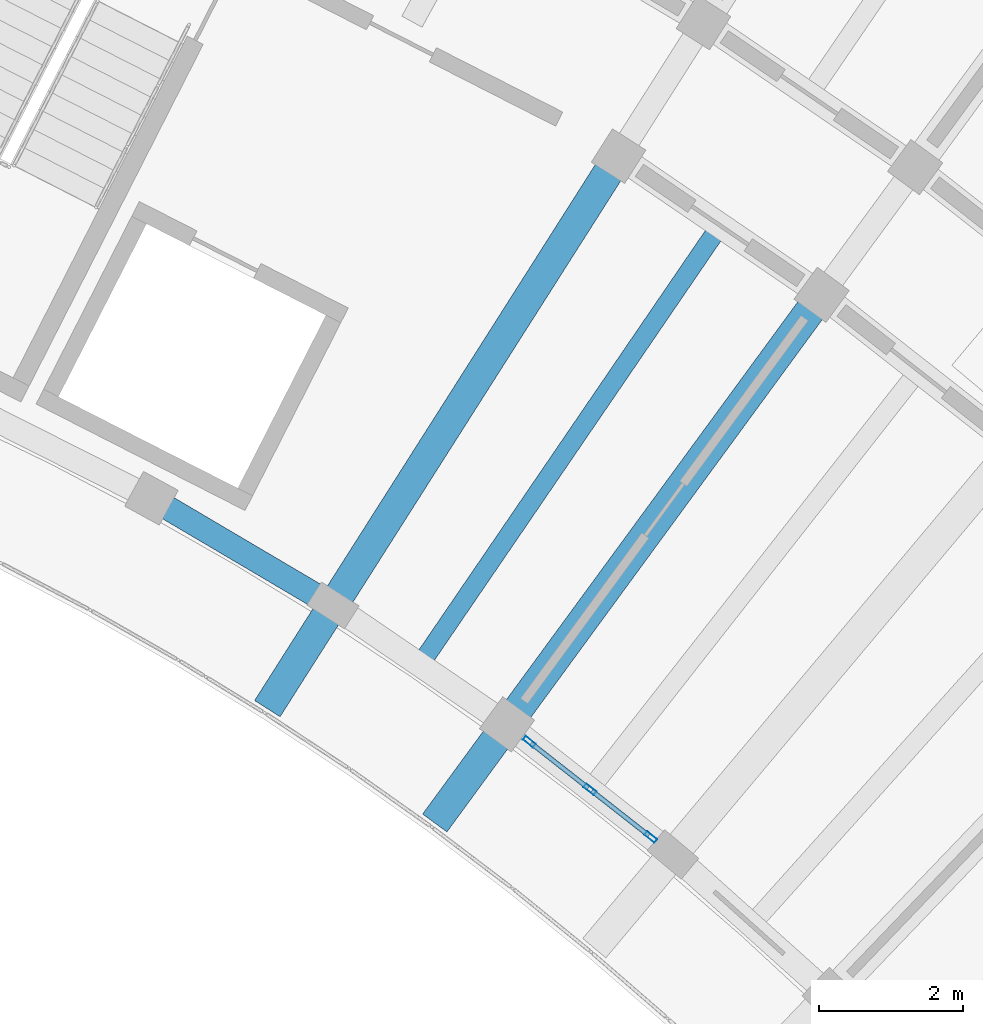
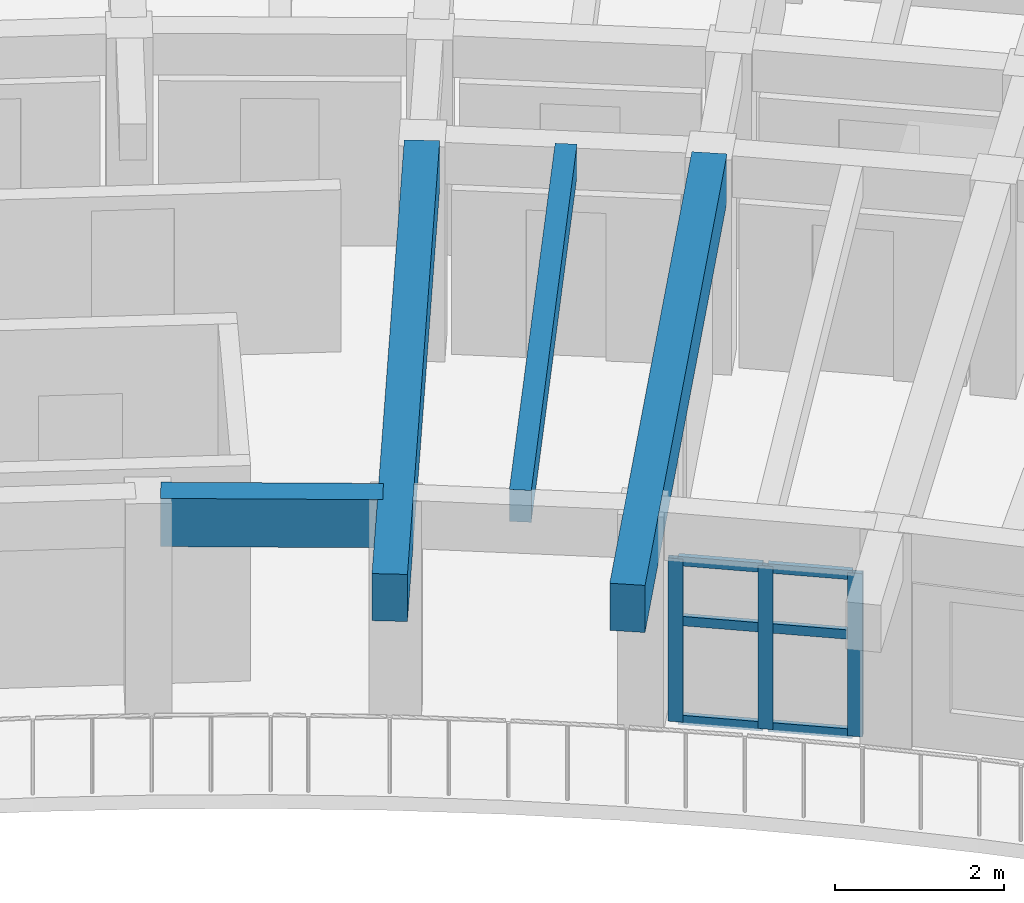
# One storey, part 35 of 96: 9 members, 4 beams, 1 element without a shape of its own.
"""IFC4 building model written with IfcOpenShell, lengths in metres."""

from ifc_helpers import new_model, si_unit, direction, frame, origin, origin_2d, place, context, subcontext, project, spatial, rectangle, hollow_rectangle, extrude, material, material_profile, profile_set, type_object, element, aggregate, save


model = new_model("IFC4")

# Units and contexts
model_context = context("Model", 3, precision=1e-05, world=origin(), true_north=direction((0.0, 1.0)))
body_context = subcontext(model_context, "Body", "Model", "MODEL_VIEW")
ifc_project = project(units=[si_unit("LENGTHUNIT", "METRE"), si_unit("AREAUNIT", "SQUARE_METRE"), si_unit("VOLUMEUNIT", "CUBIC_METRE"), si_unit("PLANEANGLEUNIT", "RADIAN"), si_unit("MASSUNIT", "GRAM", prefix="KILO")], contexts=[model_context])

# Site, building, storey
site_placement = place(None, origin())
site = spatial("IfcSite", under=ifc_project, at=site_placement, CompositionType="ELEMENT")
building_placement = place(site_placement, origin())
building = spatial("IfcBuilding", under=site, at=building_placement, Name="Tanwirah Colonnade Gardens", CompositionType="ELEMENT")
storey_placement = place(building_placement, frame((0.0, 0.0, 12.199951171875)))
storey = spatial("IfcBuildingStorey", under=building, at=storey_placement, Name="L03", CompositionType="ELEMENT", Elevation=12.199951171875)

# Beams
ifc_material_1 = material(Name="Precast concrete C45/55", Category="concrete")
ifc_material_profile_1 = material_profile(ifc_material_1, rectangle(XDim=0.419921875, YDim=0.679931640625, at=origin_2d()), Name="PC-BM 420x680")
ifc_profile_set_1 = profile_set([ifc_material_profile_1], Name="Precast concrete C45/55")
beam_type_1 = type_object("IfcBeamType", Name="BM-PC420", PredefinedType="BEAM", material=ifc_profile_set_1)
for number, where, z_axis, x_axis, name in (
    (1, (151.550537109375, 101.907958984375, 2.76513671875), (-0.590927205009, -0.806724883947, 0.0), (0.806724883947, -0.590927205009, 0.0), "Block B L03 Inner Radial Precast Girder 10"),
    (2, (148.736083984375, 103.830322265625, 2.76513671875), (-0.536483588607, -0.843910753075, 0.0), (0.843910753075, -0.536483588607, 0.0), "Block B L03 Inner Radial Precast Girder 11"),
):
    element("IfcBeam", number, at=place(storey_placement, frame(where, z_axis=z_axis, x_axis=x_axis)), inside=storey, type_object=beam_type_1, Name=name, PredefinedType="BEAM", context=body_context, shape_type="SweptSolid", body=[
        extrude(rectangle(XDim=0.419921875, YDim=0.679931640625, at=origin_2d()), origin(), (0.0, 0.0, 1.0), 8.949951171875),
    ])

# Curtain wall, members
ifc_material_2 = material(Name="Bronze-anodised aluminium and solar-control low-E glass", Category="aluminium")
curtain_wall_type = type_object("IfcCurtainWallType", Name="CW-GDN", PredefinedType="NOTDEFINED", material=ifc_material_2)
curtain_wall_placement = place(storey_placement, origin())
curtain_wall = element("IfcCurtainWall", 3, at=curtain_wall_placement, inside=storey, type_object=curtain_wall_type, Name="Curtain Wall CW-B-L03-IN-09", PredefinedType="NOTDEFINED")
ifc_material_3 = material(Name="Bronze-anodised aluminium", Category="aluminium")
ifc_material_profile_2 = material_profile(ifc_material_3, hollow_rectangle(XDim=0.06494140625, YDim=0.179931640625, WallThickness=0.00390625, at=origin_2d()), Name="CW-MUL 65x180x4")
ifc_profile_set_2 = profile_set([ifc_material_profile_2], Name="Bronze-anodised aluminium")
member_type_1 = type_object("IfcMemberType", Name="CWM-65x180", PredefinedType="MULLION", material=ifc_profile_set_2)
member_1_placement = place(storey_placement, frame((149.26318359375, 94.492919921875, 0.0), z_axis=(0.0, 0.0, 1.0), x_axis=(-0.617188542982, -0.786815291166, 0.0)))
member_1 = element("IfcMember", 4, at=member_1_placement, type_object=member_type_1, Name="CW-GDN mullion 1", PredefinedType="MULLION", context=body_context, shape_type="SweptSolid", body=[
    extrude(hollow_rectangle(XDim=0.06494140625, YDim=0.179931640625, WallThickness=0.00390625, at=origin_2d()), origin(), (0.0, 0.0, 1.0), 2.35498046875),
])
member_2_placement = place(storey_placement, frame((148.419189453125, 95.155029296875, 0.0), z_axis=(0.0, 0.0, 1.0), x_axis=(-0.617188542982, -0.786815291166, 0.0)))
member_2 = element("IfcMember", 5, at=member_2_placement, type_object=member_type_1, Name="CW-GDN mullion 2", PredefinedType="MULLION", context=body_context, shape_type="SweptSolid", body=[
    extrude(hollow_rectangle(XDim=0.06494140625, YDim=0.179931640625, WallThickness=0.00390625, at=origin_2d()), origin(), (0.0, 0.0, 1.0), 2.35498046875),
])
member_3_placement = place(storey_placement, frame((147.5751953125, 95.81689453125, 0.0), z_axis=(0.0, 0.0, 1.0), x_axis=(-0.617188542982, -0.786815291166, 0.0)))
member_3 = element("IfcMember", 6, at=member_3_placement, type_object=member_type_1, Name="CW-GDN mullion 3", PredefinedType="MULLION", context=body_context, shape_type="SweptSolid", body=[
    extrude(hollow_rectangle(XDim=0.06494140625, YDim=0.179931640625, WallThickness=0.00390625, at=origin_2d()), origin(), (0.0, 0.0, 1.0), 2.35498046875),
])
ifc_material_profile_3 = material_profile(ifc_material_3, hollow_rectangle(XDim=0.06494140625, YDim=0.135009765625, WallThickness=0.00390625, at=origin_2d()), Name="CW-TRN 65x135x4")
ifc_profile_set_3 = profile_set([ifc_material_profile_3], Name="Bronze-anodised aluminium")
member_type_2 = type_object("IfcMemberType", Name="CWT-65x135", PredefinedType="USERDEFINED", material=ifc_profile_set_3)
member_4_placement = place(storey_placement, frame((149.237548828125, 94.512939453125, 0.032470703125), z_axis=(-0.786906471393, 0.617072285295, 0.0), x_axis=(-0.617072285295, -0.786906471393, 0.0)))
member_4 = element("IfcMember", 7, at=member_4_placement, type_object=member_type_2, Name="CW-GDN transom 1.1", ObjectType="TRANSOM", PredefinedType="USERDEFINED", context=body_context, shape_type="SweptSolid", body=[
    extrude(hollow_rectangle(XDim=0.06494140625, YDim=0.135009765625, WallThickness=0.00390625, at=origin_2d()), origin(), (0.0, 0.0, 1.0), 1.0078125),
])
member_5_placement = place(storey_placement, frame((149.237548828125, 94.512939453125, 1.460205078125), z_axis=(-0.786906471393, 0.617072285295, 0.0), x_axis=(-0.617072285295, -0.786906471393, 0.0)))
member_5 = element("IfcMember", 8, at=member_5_placement, type_object=member_type_2, Name="CW-GDN transom 1.2", ObjectType="TRANSOM", PredefinedType="USERDEFINED", context=body_context, shape_type="SweptSolid", body=[
    extrude(hollow_rectangle(XDim=0.06494140625, YDim=0.135009765625, WallThickness=0.00390625, at=origin_2d()), origin(), (0.0, 0.0, 1.0), 1.0078125),
])
member_6_placement = place(storey_placement, frame((149.237548828125, 94.512939453125, 2.322509765625), z_axis=(-0.786906471393, 0.617072285295, 0.0), x_axis=(-0.617072285295, -0.786906471393, 0.0)))
member_6 = element("IfcMember", 9, at=member_6_placement, type_object=member_type_2, Name="CW-GDN transom 1.3", ObjectType="TRANSOM", PredefinedType="USERDEFINED", context=body_context, shape_type="SweptSolid", body=[
    extrude(hollow_rectangle(XDim=0.06494140625, YDim=0.135009765625, WallThickness=0.00390625, at=origin_2d()), origin(), (0.0, 0.0, 1.0), 1.0078125),
])
member_7_placement = place(storey_placement, frame((148.3935546875, 95.175048828125, 0.032470703125), z_axis=(-0.786814192286, 0.617189943872, 0.0), x_axis=(-0.617189943872, -0.786814192286, 0.0)))
member_7 = element("IfcMember", 10, at=member_7_placement, type_object=member_type_2, Name="CW-GDN transom 2.1", ObjectType="TRANSOM", PredefinedType="USERDEFINED", context=body_context, shape_type="SweptSolid", body=[
    extrude(hollow_rectangle(XDim=0.06494140625, YDim=0.135009765625, WallThickness=0.00390625, at=origin_2d()), origin(), (0.0, 0.0, 1.0), 1.007568359375),
])
member_8_placement = place(storey_placement, frame((148.3935546875, 95.175048828125, 1.460205078125), z_axis=(-0.786814192286, 0.617189943872, 0.0), x_axis=(-0.617189943872, -0.786814192286, 0.0)))
member_8 = element("IfcMember", 11, at=member_8_placement, type_object=member_type_2, Name="CW-GDN transom 2.2", ObjectType="TRANSOM", PredefinedType="USERDEFINED", context=body_context, shape_type="SweptSolid", body=[
    extrude(hollow_rectangle(XDim=0.06494140625, YDim=0.135009765625, WallThickness=0.00390625, at=origin_2d()), origin(), (0.0, 0.0, 1.0), 1.007568359375),
])
member_9_placement = place(storey_placement, frame((148.3935546875, 95.175048828125, 2.322509765625), z_axis=(-0.786814192286, 0.617189943872, 0.0), x_axis=(-0.617189943872, -0.786814192286, 0.0)))
member_9 = element("IfcMember", 12, at=member_9_placement, type_object=member_type_2, Name="CW-GDN transom 2.3", ObjectType="TRANSOM", PredefinedType="USERDEFINED", context=body_context, shape_type="SweptSolid", body=[
    extrude(hollow_rectangle(XDim=0.06494140625, YDim=0.135009765625, WallThickness=0.00390625, at=origin_2d()), origin(), (0.0, 0.0, 1.0), 1.007568359375),
])
aggregate(curtain_wall, [member_1, member_2, member_3, member_4, member_5, member_6, member_7, member_8, member_9])

# Beams
ifc_material_4 = material(Name="Precast concrete C40/50", Category="concrete")
ifc_material_profile_4 = material_profile(ifc_material_4, rectangle(XDim=0.260009765625, YDim=0.4599609375, at=origin_2d()), Name="PC-JST 260x460")
ifc_profile_set_4 = profile_set([ifc_material_profile_4], Name="Precast concrete C40/50")
beam_type_2 = type_object("IfcBeamType", Name="JST-PC260", PredefinedType="JOIST", material=ifc_profile_set_4)
beam_1_placement = place(storey_placement, frame((146.1376953125, 97.004638671875, 2.875), z_axis=(0.564021195806, 0.825760310672, 0.0), x_axis=(-0.825760310672, 0.564021195806, 0.0)))
element("IfcBeam", 13, at=beam_1_placement, inside=storey, type_object=beam_type_2, Name="Block B L03 Inner Precast Floor Joist 10", PredefinedType="JOIST", context=body_context, shape_type="SweptSolid", body=[
    extrude(rectangle(XDim=0.260009765625, YDim=0.4599609375, at=origin_2d()), origin(), (0.0, 0.0, 1.0), 7.159912109375),
])
ifc_material_profile_5 = material_profile(ifc_material_4, rectangle(XDim=0.3349609375, YDim=0.695068359375, at=origin_2d()), Name="PC-SP 335x695")
ifc_profile_set_5 = profile_set([ifc_material_profile_5], Name="Precast concrete C40/50")
beam_type_3 = type_object("IfcBeamType", Name="SP-PC300", PredefinedType="SPANDREL", material=ifc_profile_set_5)
beam_2_placement = place(storey_placement, frame((144.717529296875, 97.7880859375, 2.757568359375), z_axis=(-0.861148181788, 0.508354019363, 0.0), x_axis=(-0.508354019363, -0.861148181788, 0.0)))
element("IfcBeam", 14, at=beam_2_placement, inside=storey, type_object=beam_type_3, Name="Block B L03 Circumferential Beam 11-R0", PredefinedType="SPANDREL", context=body_context, shape_type="SweptSolid", body=[
    extrude(rectangle(XDim=0.3349609375, YDim=0.695068359375, at=origin_2d()), origin(), (0.0, 0.0, 1.0), 2.63037109375),
])

save(model, "model.ifc")
